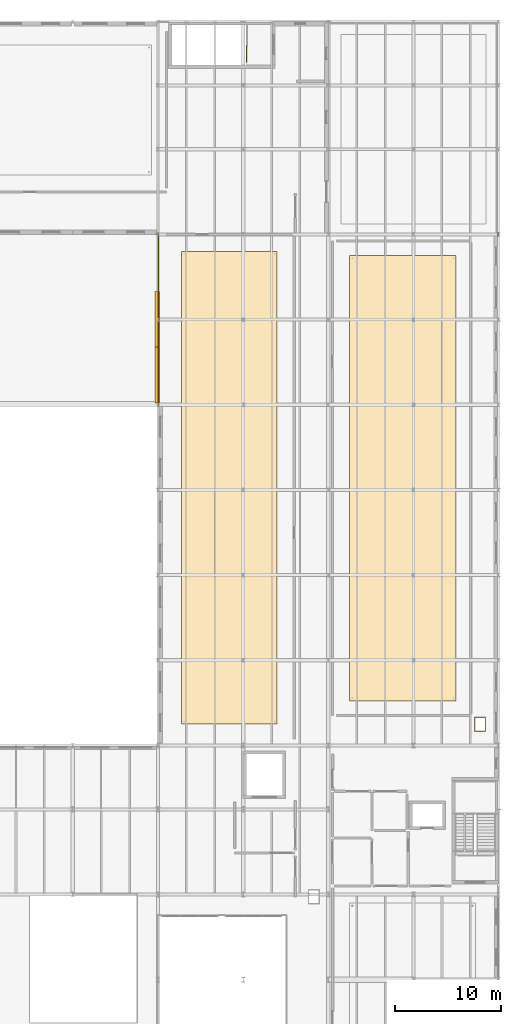
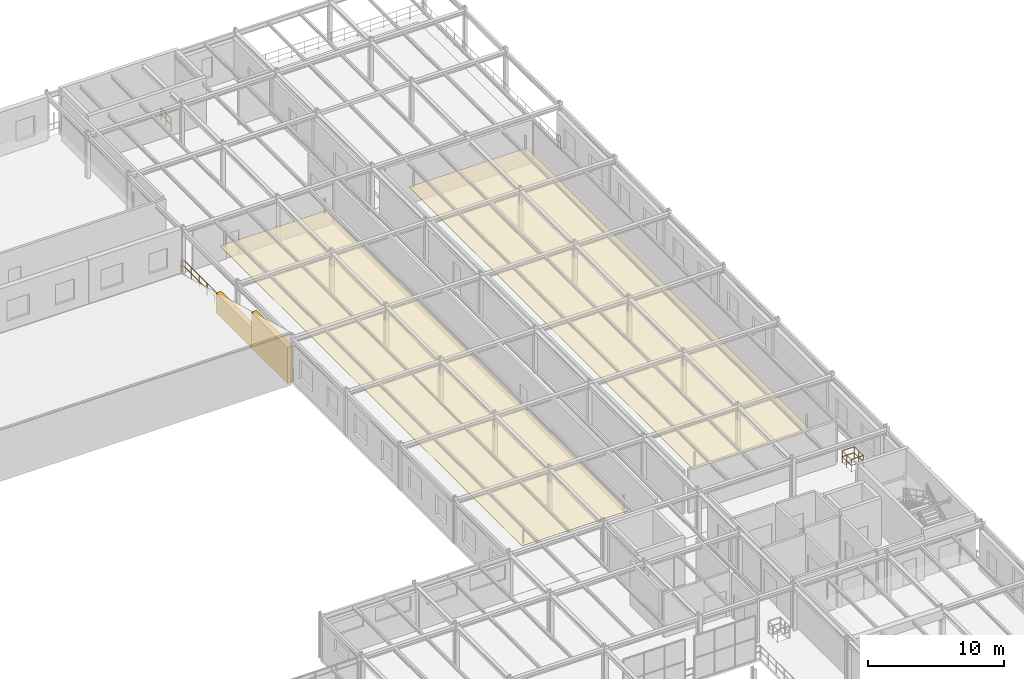
# One storey, part 123 of 124: 4 coverings, 4 railings.
"""IFC4 building model written with IfcOpenShell, lengths in metres."""

from ifc_helpers import new_model, si_unit, direction, frame, origin, origin_2d, place, context, subcontext, project, spatial, polyline, rectangle, circle, outline, extrude, material, layer, layer_set, type_object, element, save


model = new_model("IFC4")

# Units and contexts
model_context = context("Model", 3, precision=1e-05, world=origin(), true_north=direction((0.0, 1.0)))
body_context = subcontext(model_context, "Body", "Model", "MODEL_VIEW")
ifc_project = project(units=[si_unit("LENGTHUNIT", "METRE"), si_unit("AREAUNIT", "SQUARE_METRE"), si_unit("VOLUMEUNIT", "CUBIC_METRE"), si_unit("PLANEANGLEUNIT", "RADIAN"), si_unit("MASSUNIT", "GRAM", prefix="KILO")], contexts=[model_context])

# Site, building, storey
site_placement = place(None, origin())
site = spatial("IfcSite", under=ifc_project, at=site_placement, CompositionType="ELEMENT")
building_placement = place(site_placement, origin())
building = spatial("IfcBuilding", under=site, at=building_placement, Name="Sundkrona Museum", CompositionType="ELEMENT")
storey_placement = place(building_placement, frame((0.0, 0.0, 17.60009765625)))
storey = spatial("IfcBuildingStorey", under=building, at=storey_placement, Name="L03", CompositionType="ELEMENT", Elevation=17.60009765625)

# Coverings
ifc_material_1 = material(Name="Perforated Acoustic Gypsum and Mineral Wool Ceiling", Category="other")
ifc_layer_1 = layer(ifc_material_1, 0.0400390625)
ifc_layer_set_1 = layer_set([ifc_layer_1], Name="Perforated Acoustic Gypsum and Mineral Wool Ceiling")
covering_type_1 = type_object("IfcCoveringType", Name="COV-CEIL-AC", PredefinedType="CEILING", material=ifc_layer_set_1)
covering_1_placement = place(storey_placement, frame((0.0, 0.0, 2.5498046875)))
element("IfcCovering", 1, at=covering_1_placement, inside=storey, type_object=covering_type_1, Name="L03 Paper and Parchment Restoration Studio Acoustic Ceiling", PredefinedType="CEILING", context=body_context, shape_type="SweptSolid", body=[
    extrude(outline(polyline([(138.199951171875, 48.0), (147.199951171875, 48.0), (147.199951171875, 92.39990234375), (138.199951171875, 92.39990234375), (138.199951171875, 48.0)])), origin(), (0.0, 0.0, 1.0), 0.0400390625),
])
covering_2_placement = place(storey_placement, frame((0.0, 0.0, 2.5498046875)))
element("IfcCovering", 2, at=covering_2_placement, inside=storey, type_object=covering_type_1, Name="L03 Imaging and Photogrammetry Studio Acoustic Ceiling", PredefinedType="CEILING", context=body_context, shape_type="SweptSolid", body=[
    extrude(outline(polyline([(154.0, 50.199951171875), (164.0, 50.199951171875), (164.0, 92.0), (154.0, 92.0), (154.0, 50.199951171875)])), origin(), (0.0, 0.0, 1.0), 0.0400390625),
])
ifc_material_2 = material(Name="Standing-Seam Patinated Copper Roofing", Category="other")
ifc_layer_2 = layer(ifc_material_2, 0.044921875)
ifc_layer_set_2 = layer_set([ifc_layer_2], Name="Standing-Seam Patinated Copper Roofing")
covering_type_2 = type_object("IfcCoveringType", Name="COV-RF-COP", PredefinedType="ROOFING", material=ifc_layer_set_2)
covering_3_placement = place(storey_placement, frame((135.919921875, 80.800048828125, -0.27001953125), z_axis=(0.0, 0.0, 1.0), x_axis=(0.0, 1.0, 0.0)))
element("IfcCovering", 3, at=covering_3_placement, inside=storey, type_object=covering_type_2, Name="Auditorium E Gable Tympanum 1", PredefinedType="ROOFING", context=body_context, shape_type="SweptSolid", body=[
    extrude(rectangle(XDim=5.280029296875, YDim=0.43994140625, at=origin_2d()), origin(), (0.0, 0.0, 1.0), 3.239990234375),
])
covering_4_placement = place(storey_placement, frame((135.919921875, 86.0, -0.27001953125), z_axis=(0.0, 0.0, 1.0), x_axis=(0.0, 1.0, 0.0)))
element("IfcCovering", 4, at=covering_4_placement, inside=storey, type_object=covering_type_2, Name="Auditorium E Gable Tympanum 2", PredefinedType="ROOFING", context=body_context, shape_type="SweptSolid", body=[
    extrude(rectangle(XDim=5.280029296875, YDim=0.43994140625, at=origin_2d()), origin(), (0.0, 0.0, 1.0), 1.7880859375),
])

# Railings
ifc_material_3 = material(Name="Painted Steel S355J2 and Laminated Glass Balustrade", Category="steel")
railing_type = type_object("IfcRailingType", Name="RL-GUARD-1100", PredefinedType="BALUSTRADE", material=ifc_material_3)
railing_1_placement = place(storey_placement, frame((136.06005859375, 77.85791015625, 0.0)))
element("IfcRailing", 5, at=railing_1_placement, inside=storey, type_object=railing_type, Name="L03 Edge Protection Balustrade 043", PredefinedType="BALUSTRADE", context=body_context, shape_type="SweptSolid", body=[
    extrude(circle(Radius=0.02392578125, at=origin_2d()), frame((0.0, 0.0, 1.09619140625), z_axis=(0.0, 1.0, 0.0), x_axis=(-1.0, 0.0, 0.0)), (0.0, 0.0, 1.0), 16.2021484375),
    extrude(circle(Radius=0.02392578125, at=origin_2d()), frame((0.0, 0.0, 0.56005859375), z_axis=(0.0, 1.0, 0.0), x_axis=(-1.0, 0.0, 0.0)), (0.0, 0.0, 1.0), 16.2021484375),
    extrude(circle(Radius=0.02392578125, at=origin_2d()), frame((0.0, 16.2021484375, 1.09619140625), z_axis=(-1.0, 0.0, 0.0), x_axis=(0.0, -1.0, 0.0)), (0.0, 0.0, 1.0), 0.2021484375),
    extrude(circle(Radius=0.02392578125, at=origin_2d()), frame((0.0, 16.2021484375, 0.56005859375), z_axis=(-1.0, 0.0, 0.0), x_axis=(0.0, -1.0, 0.0)), (0.0, 0.0, 1.0), 0.2021484375),
    extrude(circle(Radius=0.02099609375, at=origin_2d()), origin(), (0.0, 0.0, 1.0), 1.072021484375),
    extrude(circle(Radius=0.02099609375, at=origin_2d()), frame((0.0, 1.1572265625, 0.0)), (0.0, 0.0, 1.0), 1.072021484375),
    extrude(circle(Radius=0.02099609375, at=origin_2d()), frame((0.0, 2.314697265625, 0.0)), (0.0, 0.0, 1.0), 1.072021484375),
    extrude(circle(Radius=0.02099609375, at=origin_2d()), frame((0.0, 3.471923828125, 0.0)), (0.0, 0.0, 1.0), 1.072021484375),
    extrude(circle(Radius=0.02099609375, at=origin_2d()), frame((0.0, 4.629150390625, 0.0)), (0.0, 0.0, 1.0), 1.072021484375),
    extrude(circle(Radius=0.02099609375, at=origin_2d()), frame((0.0, 5.786376953125, 0.0)), (0.0, 0.0, 1.0), 1.072021484375),
    extrude(circle(Radius=0.02099609375, at=origin_2d()), frame((0.0, 6.94384765625, 0.0)), (0.0, 0.0, 1.0), 1.072021484375),
    extrude(circle(Radius=0.02099609375, at=origin_2d()), frame((0.0, 8.10107421875, 0.0)), (0.0, 0.0, 1.0), 1.072021484375),
    extrude(circle(Radius=0.02099609375, at=origin_2d()), frame((0.0, 9.25830078125, 0.0)), (0.0, 0.0, 1.0), 1.072021484375),
    extrude(circle(Radius=0.02099609375, at=origin_2d()), frame((0.0, 10.415771484375, 0.0)), (0.0, 0.0, 1.0), 1.072021484375),
    extrude(circle(Radius=0.02099609375, at=origin_2d()), frame((0.0, 11.572998046875, 0.0)), (0.0, 0.0, 1.0), 1.072021484375),
    extrude(circle(Radius=0.02099609375, at=origin_2d()), frame((0.0, 12.730224609375, 0.0)), (0.0, 0.0, 1.0), 1.072021484375),
    extrude(circle(Radius=0.02099609375, at=origin_2d()), frame((0.0, 13.887451171875, 0.0)), (0.0, 0.0, 1.0), 1.072021484375),
    extrude(circle(Radius=0.02099609375, at=origin_2d()), frame((0.0, 15.044921875, 0.0)), (0.0, 0.0, 1.0), 1.072021484375),
    extrude(circle(Radius=0.02099609375, at=origin_2d()), frame((0.0, 16.2021484375, 0.0)), (0.0, 0.0, 1.0), 1.072021484375),
    extrude(circle(Radius=0.02099609375, at=origin_2d()), frame((-0.2021484375, 16.2021484375, 0.0)), (0.0, 0.0, 1.0), 1.072021484375),
])
railing_2_placement = place(storey_placement, frame((144.3349609375, 110.179931640625, 0.0)))
element("IfcRailing", 6, at=railing_2_placement, inside=storey, type_object=railing_type, Name="L03 Edge Protection Balustrade 048", PredefinedType="BALUSTRADE", context=body_context, shape_type="SweptSolid", body=[
    extrude(circle(Radius=0.02392578125, at=origin_2d()), frame((0.0, 0.0, 1.09619140625), z_axis=(0.0, 1.0, 0.0), x_axis=(-1.0, 0.0, 0.0)), (0.0, 0.0, 1.0), 1.52001953125),
    extrude(circle(Radius=0.02392578125, at=origin_2d()), frame((0.0, 0.0, 0.56005859375), z_axis=(0.0, 1.0, 0.0), x_axis=(-1.0, 0.0, 0.0)), (0.0, 0.0, 1.0), 1.52001953125),
    extrude(circle(Radius=0.02099609375, at=origin_2d()), origin(), (0.0, 0.0, 1.0), 1.072021484375),
    extrude(circle(Radius=0.02099609375, at=origin_2d()), frame((0.0, 0.760009765625, 0.0)), (0.0, 0.0, 1.0), 1.072021484375),
    extrude(circle(Radius=0.02099609375, at=origin_2d()), frame((0.0, 1.52001953125, 0.0)), (0.0, 0.0, 1.0), 1.072021484375),
])
railing_3_placement = place(storey_placement, frame((166.760009765625, 47.340087890625, 0.0)))
element("IfcRailing", 7, at=railing_3_placement, inside=storey, type_object=railing_type, Name="L03 Edge Protection Balustrade 054", PredefinedType="BALUSTRADE", context=body_context, shape_type="SweptSolid", body=[
    extrude(circle(Radius=0.02392578125, at=origin_2d()), frame((0.0, 0.0, 1.09619140625), z_axis=(0.0, 1.0, 0.0), x_axis=(-1.0, 0.0, 0.0)), (0.0, 0.0, 1.0), 1.31982421875),
    extrude(circle(Radius=0.02392578125, at=origin_2d()), frame((0.0, 0.0, 0.56005859375), z_axis=(0.0, 1.0, 0.0), x_axis=(-1.0, 0.0, 0.0)), (0.0, 0.0, 1.0), 1.31982421875),
    extrude(circle(Radius=0.02392578125, at=origin_2d()), frame((0.0, 1.31982421875, 1.09619140625), z_axis=(-1.0, 0.0, 0.0), x_axis=(0.0, -1.0, 0.0)), (0.0, 0.0, 1.0), 1.02001953125),
    extrude(circle(Radius=0.02392578125, at=origin_2d()), frame((0.0, 1.31982421875, 0.56005859375), z_axis=(-1.0, 0.0, 0.0), x_axis=(0.0, -1.0, 0.0)), (0.0, 0.0, 1.0), 1.02001953125),
    extrude(circle(Radius=0.02392578125, at=origin_2d()), frame((-1.02001953125, 1.31982421875, 1.09619140625), z_axis=(0.0, -1.0, 0.0), x_axis=(1.0, 0.0, 0.0)), (0.0, 0.0, 1.0), 1.31982421875),
    extrude(circle(Radius=0.02392578125, at=origin_2d()), frame((-1.02001953125, 1.31982421875, 0.56005859375), z_axis=(0.0, -1.0, 0.0), x_axis=(1.0, 0.0, 0.0)), (0.0, 0.0, 1.0), 1.31982421875),
    extrude(circle(Radius=0.02392578125, at=origin_2d()), frame((-1.02001953125, 0.0, 1.09619140625), z_axis=(1.0, 0.0, 0.0), x_axis=(0.0, 1.0, 0.0)), (0.0, 0.0, 1.0), 1.02001953125),
    extrude(circle(Radius=0.02392578125, at=origin_2d()), frame((-1.02001953125, 0.0, 0.56005859375), z_axis=(1.0, 0.0, 0.0), x_axis=(0.0, 1.0, 0.0)), (0.0, 0.0, 1.0), 1.02001953125),
    extrude(circle(Radius=0.02099609375, at=origin_2d()), origin(), (0.0, 0.0, 1.0), 1.072021484375),
    extrude(circle(Radius=0.02099609375, at=origin_2d()), frame((0.0, 0.659912109375, 0.0)), (0.0, 0.0, 1.0), 1.072021484375),
    extrude(circle(Radius=0.02099609375, at=origin_2d()), frame((0.0, 1.31982421875, 0.0)), (0.0, 0.0, 1.0), 1.072021484375),
    extrude(circle(Radius=0.02099609375, at=origin_2d()), frame((-1.02001953125, 1.31982421875, 0.0)), (0.0, 0.0, 1.0), 1.072021484375),
    extrude(circle(Radius=0.02099609375, at=origin_2d()), frame((-1.02001953125, 0.659912109375, 0.0)), (0.0, 0.0, 1.0), 1.072021484375),
    extrude(circle(Radius=0.02099609375, at=origin_2d()), frame((-1.02001953125, 0.0, 0.0)), (0.0, 0.0, 1.0), 1.072021484375),
])
railing_4_placement = place(storey_placement, frame((167.93994140625, 94.199951171875, 0.0)))
element("IfcRailing", 8, at=railing_4_placement, inside=storey, type_object=railing_type, Name="L03 Edge Protection Balustrade 061", PredefinedType="BALUSTRADE", context=body_context, shape_type="SweptSolid", body=[
    extrude(circle(Radius=0.02392578125, at=origin_2d()), frame((0.0, 0.0, 1.09619140625), z_axis=(0.0, -1.0, 0.0), x_axis=(1.0, 0.0, 0.0)), (0.0, 0.0, 1.0), 0.342041015625),
    extrude(circle(Radius=0.02392578125, at=origin_2d()), frame((0.0, 0.0, 0.56005859375), z_axis=(0.0, -1.0, 0.0), x_axis=(1.0, 0.0, 0.0)), (0.0, 0.0, 1.0), 0.342041015625),
    extrude(circle(Radius=0.02099609375, at=origin_2d()), origin(), (0.0, 0.0, 1.0), 1.072021484375),
    extrude(circle(Radius=0.02099609375, at=origin_2d()), frame((0.0, -0.342041015625, 0.0)), (0.0, 0.0, 1.0), 1.072021484375),
])

save(model, "model.ifc")
